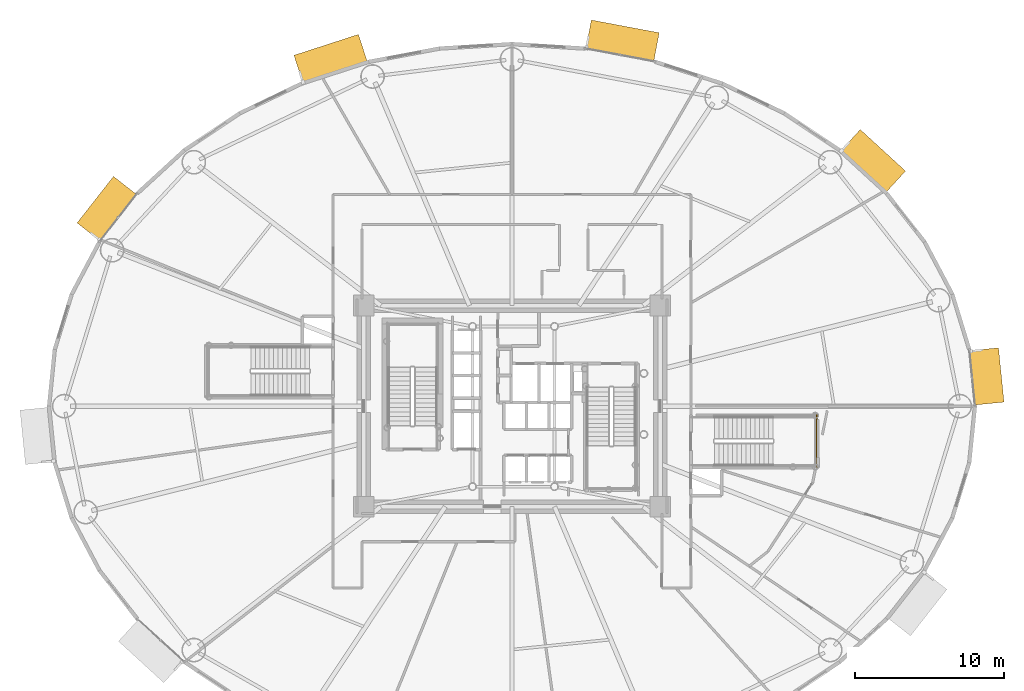
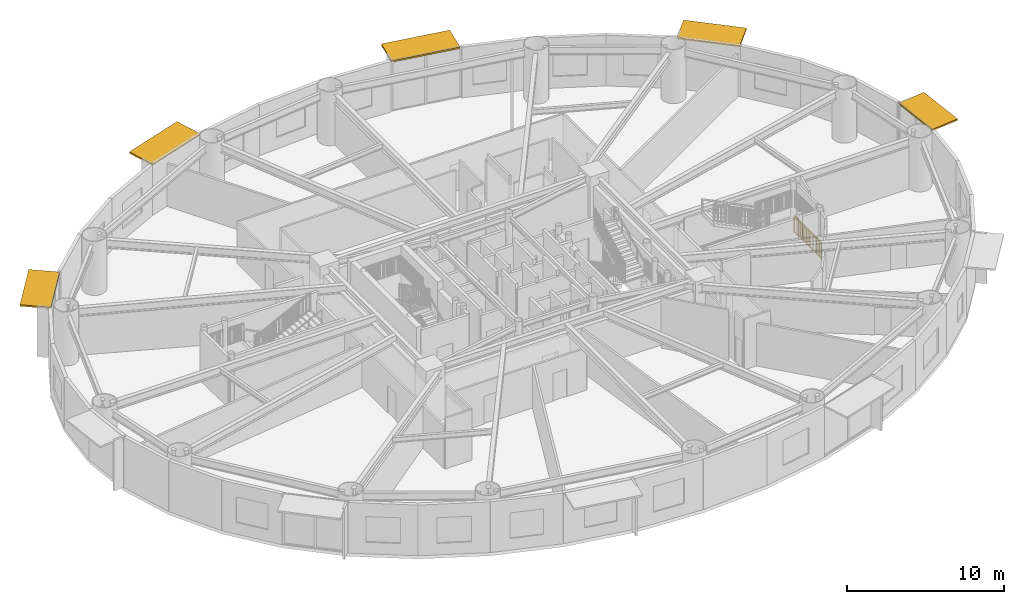
# One storey, part 32 of 32: 5 shading devices, 1 railing.
"""IFC4 building model written with IfcOpenShell, lengths in metres."""

from ifc_helpers import new_model, si_unit, direction, frame, origin, origin_2d, place, context, subcontext, project, spatial, rectangle, extrude, source, transform, mapped, material, layer, layer_set, type_object, element, save


model = new_model("IFC4")

# Units and contexts
model_context = context("Model", 3, precision=1e-05, world=origin(), true_north=direction((0.0, 1.0)))
body_context = subcontext(model_context, "Body", "Model", "MODEL_VIEW")
ifc_project = project(units=[si_unit("LENGTHUNIT", "METRE"), si_unit("AREAUNIT", "SQUARE_METRE"), si_unit("VOLUMEUNIT", "CUBIC_METRE"), si_unit("PLANEANGLEUNIT", "RADIAN"), si_unit("MASSUNIT", "GRAM", prefix="KILO")], contexts=[model_context])

# Site, building, storey
site_placement = place(None, origin())
site = spatial("IfcSite", under=ifc_project, at=site_placement, CompositionType="ELEMENT")
building_placement = place(site_placement, origin())
building = spatial("IfcBuilding", under=site, at=building_placement, Name="Linh Dai School and Residence Tower", CompositionType="ELEMENT")
storey_placement = place(building_placement, frame((0.0, 0.0, 40.800048828125)))
storey = spatial("IfcBuildingStorey", under=building, at=storey_placement, Name="L09", CompositionType="ELEMENT", Elevation=40.800048828125)

# Shading devices
ifc_material_1 = material(Name="Terracotta Ceramic Sunshade", Category="masonry")
ifc_layer = layer(ifc_material_1, 0.1201171875)
ifc_layer_set = layer_set([ifc_layer], Name="Terracotta Ceramic Sunshade")
shading_device_type = type_object("IfcShadingDeviceType", Name="SHD-TC-2000", PredefinedType="USERDEFINED", material=ifc_layer_set)
shared_shape_1 = source(origin(), body_context, "Body", "SweptSolid", [
    extrude(rectangle(XDim=3.663330078125, YDim=2.0, at=origin_2d()), origin(), (0.0, 0.0, 1.0), 0.1201171875),
])
shading_device_1_placement = place(storey_placement, frame((67.83935546875, 28.994384765625, 3.809814453125), z_axis=(0.0, 0.0, 1.0), x_axis=(0.100009387998, -0.994986493533, 0.0)))
element("IfcShadingDevice", 1, at=shading_device_1_placement, inside=storey, type_object=shading_device_type, Name="L09 Terracotta Horizontal Sunshade Band 01", ObjectType="SUNSHADE", PredefinedType="USERDEFINED", context=body_context, shape_type="MappedRepresentation", body=[
    mapped(shared_shape_1, transform((0.0, 0.0, 0.0), x_axis=(1.0, 0.0, 0.0), y_axis=(0.0, 1.0, 0.0), z_axis=(0.0, 0.0, 1.0), scale=1.0)),
])
shared_shape_2 = source(origin(), body_context, "Body", "SweptSolid", [
    extrude(rectangle(XDim=4.1220703125, YDim=2.0, at=origin_2d()), origin(), (0.0, 0.0, 1.0), 0.1201171875),
])
shading_device_2_placement = place(storey_placement, frame((60.2158203125, 43.43310546875, 3.809814453125), z_axis=(0.0, 0.0, 1.0), x_axis=(0.737113246362, -0.675769237268, 0.0)))
element("IfcShadingDevice", 2, at=shading_device_2_placement, inside=storey, type_object=shading_device_type, Name="L09 Terracotta Horizontal Sunshade Band 05", ObjectType="SUNSHADE", PredefinedType="USERDEFINED", context=body_context, shape_type="MappedRepresentation", body=[
    mapped(shared_shape_2, transform((0.0, 0.0, 0.0), x_axis=(1.0, 0.0, 0.0), y_axis=(0.0, 1.0, 0.0), z_axis=(0.0, 0.0, 1.0), scale=1.0)),
])
shared_shape_3 = source(origin(), body_context, "Body", "SweptSolid", [
    extrude(rectangle(XDim=4.635009765625, YDim=2.0, at=origin_2d()), origin(), (0.0, 0.0, 1.0), 0.1201171875),
])
shading_device_3_placement = place(storey_placement, frame((43.415283203125, 51.502685546875, 3.809814453125), z_axis=(0.0, 0.0, 1.0), x_axis=(0.982785935675, -0.184747948944, 0.0)))
element("IfcShadingDevice", 3, at=shading_device_3_placement, inside=storey, type_object=shading_device_type, Name="L09 Terracotta Horizontal Sunshade Band 09", ObjectType="SUNSHADE", PredefinedType="USERDEFINED", context=body_context, shape_type="MappedRepresentation", body=[
    mapped(shared_shape_3, transform((0.0, 0.0, 0.0), x_axis=(1.0, 0.0, 0.0), y_axis=(0.0, 1.0, 0.0), z_axis=(0.0, 0.0, 1.0), scale=1.0)),
])
shared_shape_4 = source(origin(), body_context, "Body", "SweptSolid", [
    extrude(rectangle(XDim=4.54931640625, YDim=2.0, at=origin_2d()), origin(), (0.0, 0.0, 1.0), 0.1201171875),
])
shading_device_4_placement = place(storey_placement, frame((23.839599609375, 50.29541015625, 3.809814453125), z_axis=(0.0, 0.0, 1.0), x_axis=(0.951220777043, 0.308510993844, 0.0)))
element("IfcShadingDevice", 4, at=shading_device_4_placement, inside=storey, type_object=shading_device_type, Name="L09 Terracotta Horizontal Sunshade Band 13", ObjectType="SUNSHADE", PredefinedType="USERDEFINED", context=body_context, shape_type="MappedRepresentation", body=[
    mapped(shared_shape_4, transform((0.0, 0.0, 0.0), x_axis=(1.0, 0.0, 0.0), y_axis=(0.0, 1.0, 0.0), z_axis=(0.0, 0.0, 1.0), scale=1.0)),
])
shared_shape_5 = source(origin(), body_context, "Body", "SweptSolid", [
    extrude(rectangle(XDim=3.964111328125, YDim=2.0, at=origin_2d()), origin(), (0.0, 0.0, 1.0), 0.1201171875),
])
shading_device_5_placement = place(storey_placement, frame((8.82177734375, 40.240478515625, 3.809814453125), z_axis=(0.0, 0.0, 1.0), x_axis=(0.616319427785, 0.787496262172, 0.0)))
element("IfcShadingDevice", 5, at=shading_device_5_placement, inside=storey, type_object=shading_device_type, Name="L09 Terracotta Horizontal Sunshade Band 17", ObjectType="SUNSHADE", PredefinedType="USERDEFINED", context=body_context, shape_type="MappedRepresentation", body=[
    mapped(shared_shape_5, transform((0.0, 0.0, 0.0), x_axis=(1.0, 0.0, 0.0), y_axis=(0.0, 1.0, 0.0), z_axis=(0.0, 0.0, 1.0), scale=1.0)),
])

# Railing
ifc_material_2 = material(Name="Structural Steel S355JR", Category="steel")
railing_type = type_object("IfcRailingType", Name="RL-ST-GUARD-1400", PredefinedType="GUARDRAIL", material=ifc_material_2)
shared_shape_6 = source(origin(), body_context, "Body", "SweptSolid", [
    extrude(rectangle(XDim=0.048095703125, YDim=0.048095703125, at=origin_2d()), frame((0.0, 0.0, 1.3759765625), z_axis=(0.0, 1.0, 0.0), x_axis=(-1.0, 0.0, 0.0)), (0.0, 0.0, 1.0), 3.5),
    extrude(rectangle(XDim=0.048095703125, YDim=0.048095703125, at=origin_2d()), frame((0.0, 0.0, 0.10009765625), z_axis=(0.0, 1.0, 0.0), x_axis=(-1.0, 0.0, 0.0)), (0.0, 0.0, 1.0), 3.5),
    extrude(rectangle(XDim=0.030029296875, YDim=0.030029296875, at=origin_2d()), frame((0.0, 0.0, 1.239990234375), z_axis=(0.0, 1.0, 0.0), x_axis=(-1.0, 0.0, 0.0)), (0.0, 0.0, 1.0), 3.5),
    extrude(rectangle(XDim=0.02001953125, YDim=0.02001953125, at=origin_2d()), frame((0.0, 0.09716796875, 0.10009765625)), (0.0, 0.0, 1.0), 1.251708984375),
    extrude(rectangle(XDim=0.02001953125, YDim=0.02001953125, at=origin_2d()), frame((0.0, 0.1943359375, 0.10009765625)), (0.0, 0.0, 1.0), 1.251708984375),
    extrude(rectangle(XDim=0.02001953125, YDim=0.02001953125, at=origin_2d()), frame((0.0, 0.291748046875, 0.10009765625)), (0.0, 0.0, 1.0), 1.251708984375),
    extrude(rectangle(XDim=0.02001953125, YDim=0.02001953125, at=origin_2d()), frame((0.0, 0.388916015625, 0.10009765625)), (0.0, 0.0, 1.0), 1.251708984375),
    extrude(rectangle(XDim=0.02001953125, YDim=0.02001953125, at=origin_2d()), frame((0.0, 0.486083984375, 0.10009765625)), (0.0, 0.0, 1.0), 1.251708984375),
    extrude(rectangle(XDim=0.02001953125, YDim=0.02001953125, at=origin_2d()), frame((0.0, 0.583251953125, 0.10009765625)), (0.0, 0.0, 1.0), 1.251708984375),
    extrude(rectangle(XDim=0.02001953125, YDim=0.02001953125, at=origin_2d()), frame((0.0, 0.6806640625, 0.10009765625)), (0.0, 0.0, 1.0), 1.251708984375),
    extrude(rectangle(XDim=0.02001953125, YDim=0.02001953125, at=origin_2d()), frame((0.0, 0.77783203125, 0.10009765625)), (0.0, 0.0, 1.0), 1.251708984375),
    extrude(rectangle(XDim=0.02001953125, YDim=0.02001953125, at=origin_2d()), frame((0.0, 0.875, 0.10009765625)), (0.0, 0.0, 1.0), 1.251708984375),
    extrude(rectangle(XDim=0.02001953125, YDim=0.02001953125, at=origin_2d()), frame((0.0, 0.97216796875, 0.10009765625)), (0.0, 0.0, 1.0), 1.251708984375),
    extrude(rectangle(XDim=0.02001953125, YDim=0.02001953125, at=origin_2d()), frame((0.0, 1.0693359375, 0.10009765625)), (0.0, 0.0, 1.0), 1.251708984375),
    extrude(rectangle(XDim=0.02001953125, YDim=0.02001953125, at=origin_2d()), frame((0.0, 1.263916015625, 0.10009765625)), (0.0, 0.0, 1.0), 1.251708984375),
    extrude(rectangle(XDim=0.02001953125, YDim=0.02001953125, at=origin_2d()), frame((0.0, 1.361083984375, 0.10009765625)), (0.0, 0.0, 1.0), 1.251708984375),
    extrude(rectangle(XDim=0.02001953125, YDim=0.02001953125, at=origin_2d()), frame((0.0, 1.458251953125, 0.10009765625)), (0.0, 0.0, 1.0), 1.251708984375),
    extrude(rectangle(XDim=0.02001953125, YDim=0.02001953125, at=origin_2d()), frame((0.0, 1.5556640625, 0.10009765625)), (0.0, 0.0, 1.0), 1.251708984375),
    extrude(rectangle(XDim=0.02001953125, YDim=0.02001953125, at=origin_2d()), frame((0.0, 1.65283203125, 0.10009765625)), (0.0, 0.0, 1.0), 1.251708984375),
    extrude(rectangle(XDim=0.02001953125, YDim=0.02001953125, at=origin_2d()), frame((0.0, 1.75, 0.10009765625)), (0.0, 0.0, 1.0), 1.251708984375),
    extrude(rectangle(XDim=0.02001953125, YDim=0.02001953125, at=origin_2d()), frame((0.0, 1.84716796875, 0.10009765625)), (0.0, 0.0, 1.0), 1.251708984375),
    extrude(rectangle(XDim=0.02001953125, YDim=0.02001953125, at=origin_2d()), frame((0.0, 1.9443359375, 0.10009765625)), (0.0, 0.0, 1.0), 1.251708984375),
    extrude(rectangle(XDim=0.02001953125, YDim=0.02001953125, at=origin_2d()), frame((0.0, 2.041748046875, 0.10009765625)), (0.0, 0.0, 1.0), 1.251708984375),
    extrude(rectangle(XDim=0.02001953125, YDim=0.02001953125, at=origin_2d()), frame((0.0, 2.138916015625, 0.10009765625)), (0.0, 0.0, 1.0), 1.251708984375),
    extrude(rectangle(XDim=0.02001953125, YDim=0.02001953125, at=origin_2d()), frame((0.0, 2.236083984375, 0.10009765625)), (0.0, 0.0, 1.0), 1.251708984375),
    extrude(rectangle(XDim=0.02001953125, YDim=0.02001953125, at=origin_2d()), frame((0.0, 2.4306640625, 0.10009765625)), (0.0, 0.0, 1.0), 1.251708984375),
    extrude(rectangle(XDim=0.02001953125, YDim=0.02001953125, at=origin_2d()), frame((0.0, 2.52783203125, 0.10009765625)), (0.0, 0.0, 1.0), 1.251708984375),
    extrude(rectangle(XDim=0.02001953125, YDim=0.02001953125, at=origin_2d()), frame((0.0, 2.625, 0.10009765625)), (0.0, 0.0, 1.0), 1.251708984375),
    extrude(rectangle(XDim=0.02001953125, YDim=0.02001953125, at=origin_2d()), frame((0.0, 2.72216796875, 0.10009765625)), (0.0, 0.0, 1.0), 1.251708984375),
    extrude(rectangle(XDim=0.02001953125, YDim=0.02001953125, at=origin_2d()), frame((0.0, 2.8193359375, 0.10009765625)), (0.0, 0.0, 1.0), 1.251708984375),
    extrude(rectangle(XDim=0.02001953125, YDim=0.02001953125, at=origin_2d()), frame((0.0, 2.916748046875, 0.10009765625)), (0.0, 0.0, 1.0), 1.251708984375),
    extrude(rectangle(XDim=0.02001953125, YDim=0.02001953125, at=origin_2d()), frame((0.0, 3.013916015625, 0.10009765625)), (0.0, 0.0, 1.0), 1.251708984375),
    extrude(rectangle(XDim=0.02001953125, YDim=0.02001953125, at=origin_2d()), frame((0.0, 3.111083984375, 0.10009765625)), (0.0, 0.0, 1.0), 1.251708984375),
    extrude(rectangle(XDim=0.02001953125, YDim=0.02001953125, at=origin_2d()), frame((0.0, 3.208251953125, 0.10009765625)), (0.0, 0.0, 1.0), 1.251708984375),
    extrude(rectangle(XDim=0.02001953125, YDim=0.02001953125, at=origin_2d()), frame((0.0, 3.3056640625, 0.10009765625)), (0.0, 0.0, 1.0), 1.251708984375),
    extrude(rectangle(XDim=0.02001953125, YDim=0.02001953125, at=origin_2d()), frame((0.0, 3.40283203125, 0.10009765625)), (0.0, 0.0, 1.0), 1.251708984375),
    extrude(rectangle(XDim=0.0419921875, YDim=0.0419921875, at=origin_2d()), origin(), (0.0, 0.0, 1.0), 1.3759765625),
    extrude(rectangle(XDim=0.0419921875, YDim=0.0419921875, at=origin_2d()), frame((0.0, 1.166748046875, 0.0)), (0.0, 0.0, 1.0), 1.3759765625),
    extrude(rectangle(XDim=0.0419921875, YDim=0.0419921875, at=origin_2d()), frame((0.0, 2.333251953125, 0.0)), (0.0, 0.0, 1.0), 1.3759765625),
    extrude(rectangle(XDim=0.0419921875, YDim=0.0419921875, at=origin_2d()), frame((0.0, 3.5, 0.0)), (0.0, 0.0, 1.0), 1.3759765625),
])
railing_placement = place(storey_placement, frame((56.449951171875, 22.89990234375, 0.0)))
element("IfcRailing", 6, at=railing_placement, inside=storey, type_object=railing_type, Name="L09 STS2 stair guard 12", PredefinedType="GUARDRAIL", context=body_context, shape_type="MappedRepresentation", body=[
    mapped(shared_shape_6, transform((0.0, 0.0, 0.0), x_axis=(1.0, 0.0, 0.0), y_axis=(0.0, 1.0, 0.0), z_axis=(0.0, 0.0, 1.0), scale=1.0)),
])

save(model, "model.ifc")
